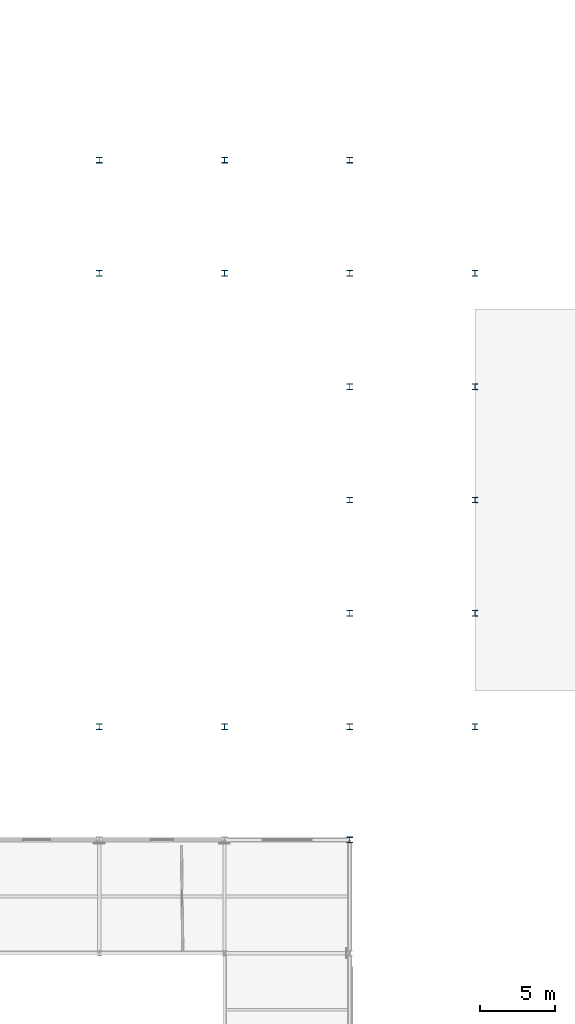
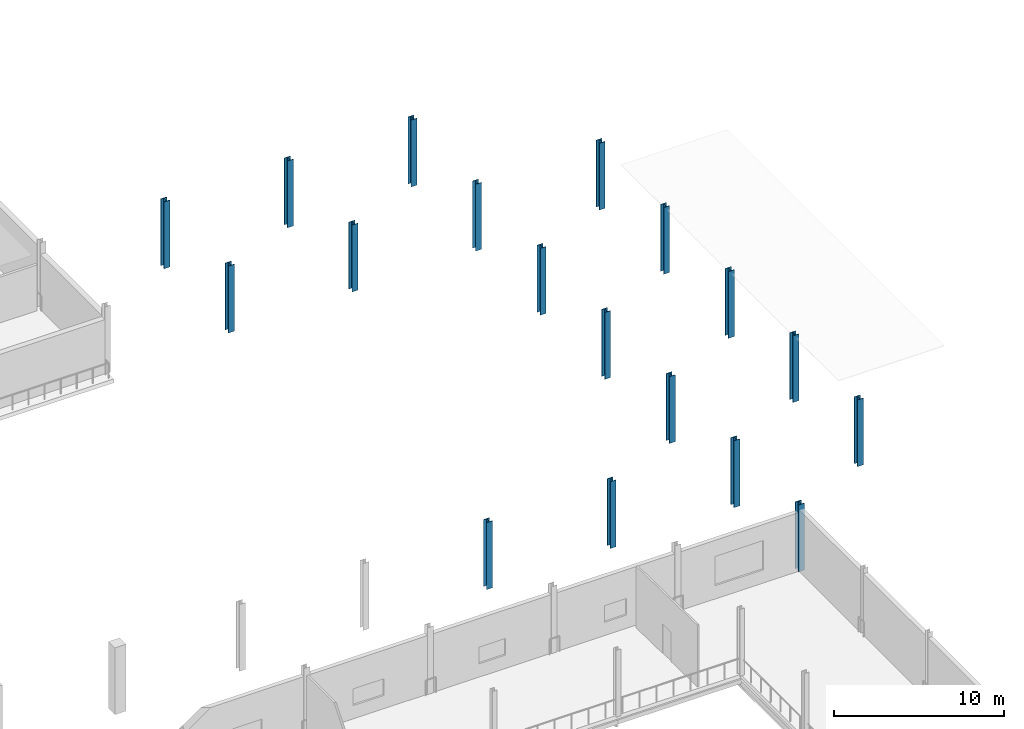
# One storey, part 11 of 51: 18 columns.
"""IFC4 building model written with IfcOpenShell, lengths in metres."""

from ifc_helpers import new_model, si_unit, direction, frame, origin, origin_2d, place, context, subcontext, project, spatial, i_section, extrude, material, material_profile, profile_set, type_object, element, save


model = new_model("IFC4")

# Units and contexts
model_context = context("Model", 3, precision=1e-05, world=origin(), true_north=direction((0.0, 1.0)))
body_context = subcontext(model_context, "Body", "Model", "MODEL_VIEW")
ifc_project = project(units=[si_unit("LENGTHUNIT", "METRE"), si_unit("AREAUNIT", "SQUARE_METRE"), si_unit("VOLUMEUNIT", "CUBIC_METRE"), si_unit("PLANEANGLEUNIT", "RADIAN"), si_unit("MASSUNIT", "GRAM", prefix="KILO")], contexts=[model_context])

# Site, building, storey
site_placement = place(None, origin())
site = spatial("IfcSite", under=ifc_project, at=site_placement, CompositionType="ELEMENT")
building_placement = place(site_placement, origin())
building = spatial("IfcBuilding", under=site, at=building_placement, Name="Zuvorla Pavilion Media Centre", CompositionType="ELEMENT")
storey_placement = place(building_placement, frame((0.0, 0.0, 4.800048828125)))
storey = spatial("IfcBuildingStorey", under=building, at=storey_placement, Name="L01", CompositionType="ELEMENT", Elevation=4.800048828125)

# Columns
ifc_material = material(Name="Steel S355", Category="steel")
ifc_material_profile = material_profile(ifc_material, i_section(OverallWidth=0.39892578125, OverallDepth=0.3935546875, WebThickness=0.022705078125, FlangeThickness=0.03662109375, FilletRadius=0.01513671875, at=origin_2d()), Name="UC 356x406x287")
ifc_profile_set = profile_set([ifc_material_profile], Name="Steel S355")
column_type = type_object("IfcColumnType", Name="COL-UC356H", PredefinedType="COLUMN", material=ifc_profile_set)
for number, where, z_axis, x_axis, name in (
    (1, (159.199951171875, 44.0, 0.0), (0.0, 0.0, 1.0), (1.0, 0.0, 0.0), "L01 column C08 570"),
    (2, (142.39990234375, 51.60009765625, 0.0), (0.0, 0.0, 1.0), (1.0, 0.0, 0.0), "L01 column C08 650"),
    (3, (150.800048828125, 51.60009765625, 0.0), (0.0, 0.0, 1.0), (1.0, 0.0, 0.0), "L01 column C08 655"),
    (4, (159.199951171875, 51.60009765625, 0.0), (0.0, 0.0, 1.0), (1.0, 0.0, 0.0), "L01 column C08 660"),
    (5, (167.60009765625, 51.60009765625, 0.0), (0.0, 0.0, 1.0), (1.0, 0.0, 0.0), "L01 column C08 665"),
    (6, (159.199951171875, 59.199951171875, 0.0), (0.0, 0.0, 1.0), (1.0, 0.0, 0.0), "L01 column C08 686"),
    (7, (167.60009765625, 59.199951171875, 0.0), (0.0, 0.0, 1.0), (1.0, 0.0, 0.0), "L01 column C08 691"),
    (8, (159.199951171875, 66.800048828125, 0.0), (0.0, 0.0, 1.0), (1.0, 0.0, 0.0), "L01 column C08 710"),
    (9, (167.60009765625, 66.800048828125, 0.0), (0.0, 0.0, 1.0), (1.0, 0.0, 0.0), "L01 column C08 715"),
    (10, (159.199951171875, 74.39990234375, 0.0), (0.0, 0.0, 1.0), (1.0, 0.0, 0.0), "L01 column C08 734"),
    (11, (167.60009765625, 74.39990234375, 0.0), (0.0, 0.0, 1.0), (1.0, 0.0, 0.0), "L01 column C08 739"),
    (12, (142.39990234375, 82.0, 0.0), (0.0, 0.0, 1.0), (1.0, 0.0, 0.0), "L01 column C08 819"),
    (13, (150.800048828125, 82.0, 0.0), (0.0, 0.0, 1.0), (1.0, 0.0, 0.0), "L01 column C08 824"),
    (14, (159.199951171875, 82.0, 0.0), (0.0, 0.0, 1.0), (1.0, 0.0, 0.0), "L01 column C08 829"),
    (15, (167.60009765625, 82.0, 0.0), (0.0, 0.0, 1.0), (1.0, 0.0, 0.0), "L01 column C08 834"),
    (16, (142.39990234375, 89.60009765625, 0.0), (0.0, 0.0, 1.0), (1.0, 0.0, 0.0), "L01 column C08 911"),
    (17, (150.800048828125, 89.60009765625, 0.0), (0.0, 0.0, 1.0), (1.0, 0.0, 0.0), "L01 column C08 916"),
    (18, (159.199951171875, 89.60009765625, 0.0), (0.0, 0.0, 1.0), (1.0, 0.0, 0.0), "L01 column C08 921"),
):
    element("IfcColumn", number, at=place(storey_placement, frame(where, z_axis=z_axis, x_axis=x_axis)), inside=storey, type_object=column_type, Name=name, PredefinedType="COLUMN", context=body_context, shape_type="SweptSolid", body=[
        extrude(i_section(OverallWidth=0.39892578125, OverallDepth=0.3935546875, WebThickness=0.022705078125, FlangeThickness=0.03662109375, FilletRadius=0.01513671875, at=origin_2d()), origin(), (0.0, 0.0, 1.0), 4.800048828125),
    ])

save(model, "model.ifc")
